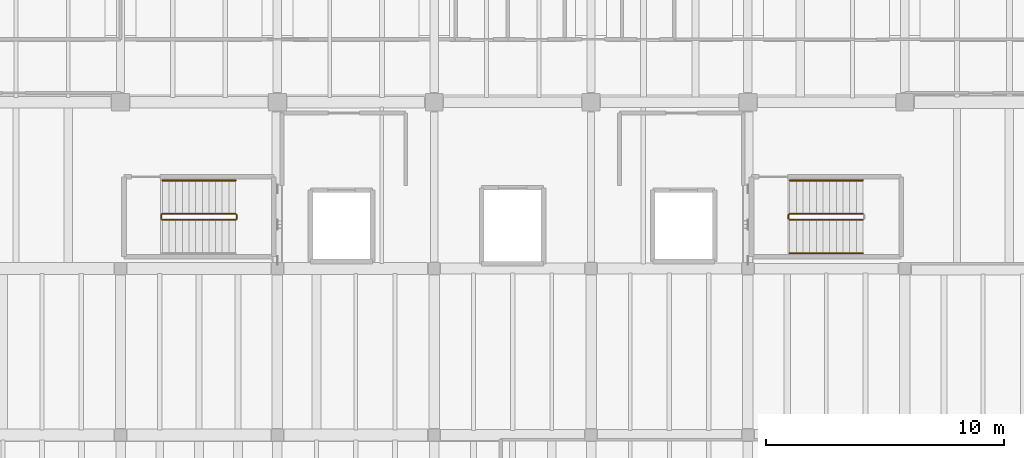
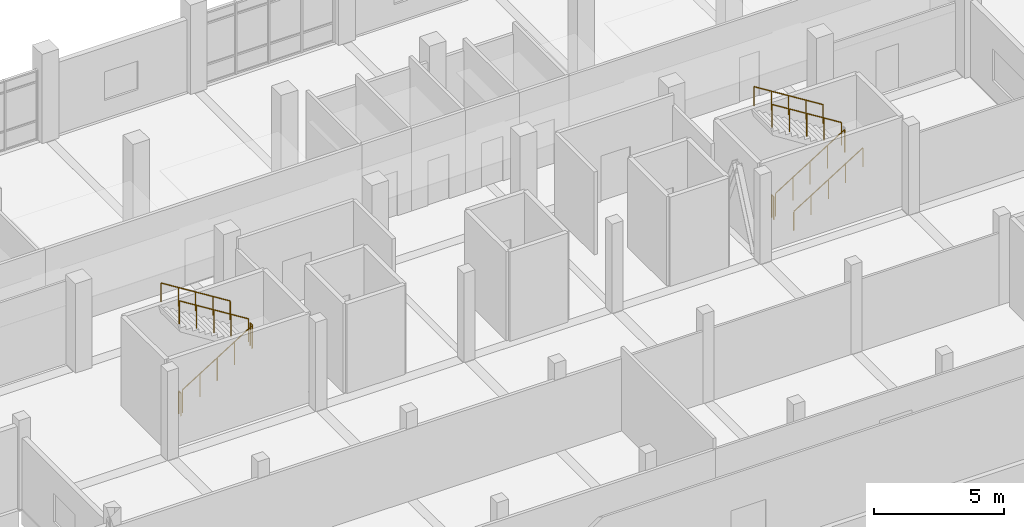
# One storey, part 63 of 65: 10 railings.
"""IFC4 building model written with IfcOpenShell, lengths in metres."""

import ifcopenshell
import ifcopenshell.guid

model = None  # the IFC model being written
_history = None  # IfcOwnerHistory: only IFC2X3 demands one
_inside = {}  # id of a spatial element -> (the spatial element, [elements in it])
_under = {}  # id of a project, library or spatial element -> (it, [spatial elements below it])
_declared = {}  # id of a project -> (the project, [libraries it declares])
_typed = {}  # id of a type object -> (the type object, [elements of that type])
_made_of = {}  # id of a material, layer set ... -> (it, [elements and type objects made of it])


def new_model(schema):
    """Start an empty IFC model of exactly this schema.

    Asked for "IFC4X3", IfcOpenShell would pick the latest addendum, in which some entities
    have other attributes; the version numbers below select the first issue.
    IFC2X3 requires an IfcOwnerHistory on every rooted entity: one is made here for all.
    """
    global model, _history
    if schema == "IFC4X3":
        model = ifcopenshell.file(schema_version=(4, 3, 0, 0))
    else:
        model = ifcopenshell.file(schema=schema)
    _inside.clear()
    _under.clear()
    _declared.clear()
    _typed.clear()
    _made_of.clear()
    _history = None
    if model.schema == "IFC2X3":
        org = make("IfcOrganization", Name="unknown")
        user = make(
            "IfcPersonAndOrganization",
            ThePerson=make("IfcPerson", FamilyName="unknown"),
            TheOrganization=org,
        )
        app = make(
            "IfcApplication",
            ApplicationDeveloper=org,
            Version="unknown",
            ApplicationFullName="unknown",
            ApplicationIdentifier="unknown",
        )
        _history = make(
            "IfcOwnerHistory",
            OwningUser=user,
            OwningApplication=app,
            ChangeAction="ADDED",
            CreationDate=0,
        )
    return model


def make(cls, **values):
    """One entity of the class cls with the attributes given. An attribute that is None is left unset."""
    return model.create_entity(
        cls, **{name: value for name, value in values.items() if value is not None}
    )


def rooted(cls, **values):
    """An entity with a GlobalId (a new one), such as an element, a storey or a relation."""
    return make(cls, GlobalId=ifcopenshell.guid.new(), OwnerHistory=_history, **values)


def si_unit(unit_type, name, prefix=None):
    """IfcSIUnit, for example si_unit("LENGTHUNIT", "METRE", prefix="MILLI")."""
    return make("IfcSIUnit", UnitType=unit_type, Prefix=prefix, Name=name)


def assignment(units):
    """IfcUnitAssignment: the units of a project."""
    return None if units is None else make("IfcUnitAssignment", Units=units)


def point(xyz):
    """IfcCartesianPoint."""
    return None if xyz is None else make("IfcCartesianPoint", Coordinates=xyz)


def direction(xyz):
    """IfcDirection."""
    return None if xyz is None else make("IfcDirection", DirectionRatios=xyz)


def frame(location, z_axis=None, x_axis=None):
    """IfcAxis2Placement3D, a coordinate frame: its origin and axes. An axis left out is left unset."""
    return make(
        "IfcAxis2Placement3D",
        Location=point(location),
        Axis=direction(z_axis),
        RefDirection=direction(x_axis),
    )


def frame_2d(location, x_axis=None):
    """IfcAxis2Placement2D, a coordinate frame in the plane: its origin and x axis."""
    return make(
        "IfcAxis2Placement2D", Location=point(location), RefDirection=direction(x_axis)
    )


def origin():
    """The frame at (0, 0, 0) with its axes left unset."""
    return frame((0.0, 0.0, 0.0))


def origin_2d():
    """The frame at (0, 0) in the plane with its x axis left unset."""
    return frame_2d((0.0, 0.0))


def place(relative_to, where):
    """IfcLocalPlacement: puts the frame where relative to a parent placement (None: the world)."""
    return make(
        "IfcLocalPlacement", PlacementRelTo=relative_to, RelativePlacement=where
    )


def context(
    kind, dimensions, precision=None, world=None, true_north=None, identifier=None
):
    """IfcGeometricRepresentationContext, for example the 3D "Model" context."""
    return make(
        "IfcGeometricRepresentationContext",
        ContextIdentifier=identifier,
        ContextType=kind,
        CoordinateSpaceDimension=dimensions,
        Precision=precision,
        WorldCoordinateSystem=world,
        TrueNorth=true_north,
    )


def subcontext(parent, identifier, kind, view, scale=None):
    """IfcGeometricRepresentationSubContext, for example "Body" below "Model"."""
    return make(
        "IfcGeometricRepresentationSubContext",
        ContextIdentifier=identifier,
        ContextType=kind,
        ParentContext=parent,
        TargetScale=scale,
        TargetView=view,
    )


def project(units=None, contexts=None):
    """IfcProject with its units and contexts."""
    return rooted(
        "IfcProject",
        Name="project",
        RepresentationContexts=contexts,
        UnitsInContext=assignment(units),
    )


def spatial(cls, under=None, at=None, **own):
    """A site, building, storey or space (cls), placed at a placement, below another one or the project."""
    s = rooted(cls, ObjectPlacement=at, **own)
    if under is not None:
        _under.setdefault(under.id(), (under, []))[1].append(s)
    return s


def profile(cls, at=None, kind="AREA", **sizes):
    """A parametric profile (cls). Its sizes go by their IFC names, for example OverallWidth=200.0."""
    return make(cls, ProfileType=kind, Position=at, **sizes)


def circle(**sizes):
    """IfcCircleProfileDef."""
    return profile("IfcCircleProfileDef", **sizes)


def extrude(swept, where, along, depth):
    """IfcExtrudedAreaSolid: the profile swept, set in the frame where, extruded along a direction by depth."""
    return make(
        "IfcExtrudedAreaSolid",
        SweptArea=swept,
        Position=where,
        ExtrudedDirection=direction(along),
        Depth=depth,
    )


def shape(context_of_items, identifier, shape_type, items):
    """IfcShapeRepresentation: the items that make up one representation, for example the "Body"."""
    return make(
        "IfcShapeRepresentation",
        ContextOfItems=context_of_items,
        RepresentationIdentifier=identifier,
        RepresentationType=shape_type,
        Items=items,
    )


def material(Name=None, Category=None):
    """IfcMaterial."""
    return make("IfcMaterial", Name=Name, Category=Category)


def made_of(thing, what):
    """Note that an element or type object is made of a material, layer set ...; save() writes the relation."""
    if what is not None:
        _made_of.setdefault(what.id(), (what, []))[1].append(thing)
    return thing


def type_object(cls, material=None, **own):
    """A type object (cls), such as IfcWallType, which elements share."""
    return made_of(rooted(cls, **own), material)


def element(
    cls,
    number,
    at=None,
    inside=None,
    cuts=None,
    type_object=None,
    material=None,
    context=None,
    identifier="Body",
    shape_type=None,
    held_by="IfcProductDefinitionShape",
    body=None,
    shapes=None,
    **own,
):
    """One element of the class cls, such as IfcWall. Its Tag is "e" and its number.

    at: its placement. inside: the storey or other place that contains it. cuts: it is an
    opening in that element (IfcRelVoidsElement). A single representation is given by context,
    identifier, shape_type and body (its items); several are given by shapes. held_by: the class
    of the entity that holds the representations. save() writes the other relations.
    """
    e = rooted(cls, Tag="e%d" % number, ObjectPlacement=at, **own)
    if body is not None:
        shapes = [shape(context, identifier, shape_type, body)]
    if shapes is not None:
        e.Representation = make(held_by, Representations=shapes)
    if inside is not None:
        _inside.setdefault(inside.id(), (inside, []))[1].append(e)
    if cuts is not None:
        rooted(
            "IfcRelVoidsElement", RelatingBuildingElement=cuts, RelatedOpeningElement=e
        )
    if type_object is not None:
        _typed.setdefault(type_object.id(), (type_object, []))[1].append(e)
    return made_of(e, material)


def aggregate(whole, parts):
    """IfcRelAggregates: a whole, such as a stair, and the parts it consists of."""
    return rooted("IfcRelAggregates", RelatingObject=whole, RelatedObjects=parts)


def save(model, path):
    """Write the relations noted so far, then the file.

    IfcRelAggregates (storeys below a building ...), IfcRelContainedInSpatialStructure (elements
    in a storey), IfcRelDefinesByType, IfcRelAssociatesMaterial and IfcRelDeclares: one each for
    every whole, place, type object, material and project.
    """
    for whole, parts in _under.values():
        aggregate(whole, parts)
    for where, things in _inside.values():
        rooted(
            "IfcRelContainedInSpatialStructure",
            RelatedElements=things,
            RelatingStructure=where,
        )
    for kind, things in _typed.values():
        rooted("IfcRelDefinesByType", RelatedObjects=things, RelatingType=kind)
    for what, things in _made_of.values():
        rooted("IfcRelAssociatesMaterial", RelatedObjects=things, RelatingMaterial=what)
    for by, libraries in _declared.values():
        rooted("IfcRelDeclares", RelatingContext=by, RelatedDefinitions=libraries)
    model.write(path)


model = new_model("IFC4")

# Units and contexts
model_context = context("Model", 3, precision=1e-05, world=origin(), true_north=direction((0.0, 1.0)))
body_context = subcontext(model_context, "Body", "Model", "MODEL_VIEW")
ifc_project = project(units=[si_unit("LENGTHUNIT", "METRE"), si_unit("AREAUNIT", "SQUARE_METRE"), si_unit("VOLUMEUNIT", "CUBIC_METRE"), si_unit("PLANEANGLEUNIT", "RADIAN"), si_unit("MASSUNIT", "GRAM", prefix="KILO")], contexts=[model_context])

# Site, building, storey
site_placement = place(None, origin())
site = spatial("IfcSite", under=ifc_project, at=site_placement, CompositionType="ELEMENT")
building_placement = place(site_placement, origin())
building = spatial("IfcBuilding", under=site, at=building_placement, Name="Ciguamira Faculty of Natural Sciences", CompositionType="ELEMENT")
storey_placement = place(building_placement, frame((0.0, 0.0, 12.60009765625)))
storey = spatial("IfcBuildingStorey", under=building, at=storey_placement, Name="L03", CompositionType="ELEMENT", Elevation=12.60009765625)

# Railings
ifc_material_1 = material(Name="Stainless steel balustrade", Category="steel")
railing_type_1 = type_object("IfcRailingType", Name="Guardrail_GR01", PredefinedType="GUARDRAIL", material=ifc_material_1)
railing_1_placement = place(storey_placement, frame((72.260009765625, 96.050048828125, 0.1748046875)))
element("IfcRailing", 1, at=railing_1_placement, inside=storey, type_object=railing_type_1, Name="L03 ST-T1 stair guard 1", PredefinedType="GUARDRAIL", context=body_context, shape_type="SweptSolid", body=[
    extrude(circle(Radius=0.02392578125, at=origin_2d()), frame((0.0, 0.0, 1.076171875), z_axis=(0.847998304005, 0.0, 0.529998940003), x_axis=(0.0, 1.0, 0.0)), (0.0, 0.0, 1.0), 3.632080078125),
    extrude(circle(Radius=0.02099609375, at=origin_2d()), origin(), (0.0, 0.0, 1.0), 1.052001953125),
    extrude(circle(Radius=0.02099609375, at=origin_2d()), frame((0.77001953125, 0.0, 0.481201171875)), (0.0, 0.0, 1.0), 1.052001953125),
    extrude(circle(Radius=0.02099609375, at=origin_2d()), frame((1.5400390625, 0.0, 0.96240234375)), (0.0, 0.0, 1.0), 1.052001953125),
    extrude(circle(Radius=0.02099609375, at=origin_2d()), frame((2.31005859375, 0.0, 1.44384765625)), (0.0, 0.0, 1.0), 1.052001953125),
    extrude(circle(Radius=0.02099609375, at=origin_2d()), frame((3.080078125, 0.0, 1.925048828125)), (0.0, 0.0, 1.0), 1.052001953125),
])
railing_2_placement = place(storey_placement, frame((75.389892578125, 96.10009765625, 2.099853515625)))
element("IfcRailing", 2, at=railing_2_placement, inside=storey, type_object=railing_type_1, Name="L03 ST-T1 stair guard 2", PredefinedType="GUARDRAIL", context=body_context, shape_type="SweptSolid", body=[
    extrude(circle(Radius=0.02392578125, at=origin_2d()), frame((0.0, 0.0, 1.076171875), z_axis=(0.0, 1.0, 0.0), x_axis=(-1.0, 0.0, 0.0)), (0.0, 0.0, 1.0), 0.159912109375),
    extrude(circle(Radius=0.02099609375, at=origin_2d()), origin(), (0.0, 0.0, 1.0), 1.052001953125),
    extrude(circle(Radius=0.02099609375, at=origin_2d()), frame((0.0, 0.159912109375, 0.0)), (0.0, 0.0, 1.0), 1.052001953125),
])
railing_3_placement = place(storey_placement, frame((75.340087890625, 96.31005859375, 2.27490234375)))
element("IfcRailing", 3, at=railing_3_placement, inside=storey, type_object=railing_type_1, Name="L03 ST-T1 stair guard 3", PredefinedType="GUARDRAIL", context=body_context, shape_type="SweptSolid", body=[
    extrude(circle(Radius=0.02392578125, at=origin_2d()), frame((0.0, 0.0, 1.076171875), z_axis=(-0.847998304005, 0.0, 0.529998940003), x_axis=(0.0, -1.0, 0.0)), (0.0, 0.0, 1.0), 3.632080078125),
    extrude(circle(Radius=0.02099609375, at=origin_2d()), origin(), (0.0, 0.0, 1.0), 1.052001953125),
    extrude(circle(Radius=0.02099609375, at=origin_2d()), frame((-0.77001953125, 0.0, 0.481201171875)), (0.0, 0.0, 1.0), 1.052001953125),
    extrude(circle(Radius=0.02099609375, at=origin_2d()), frame((-1.5400390625, 0.0, 0.96240234375)), (0.0, 0.0, 1.0), 1.052001953125),
    extrude(circle(Radius=0.02099609375, at=origin_2d()), frame((-2.31005859375, 0.0, 1.44384765625)), (0.0, 0.0, 1.0), 1.052001953125),
    extrude(circle(Radius=0.02099609375, at=origin_2d()), frame((-3.080078125, 0.0, 1.925048828125)), (0.0, 0.0, 1.0), 1.052001953125),
])
railing_4_placement = place(storey_placement, frame((72.2099609375, 96.10009765625, 0.0)))
element("IfcRailing", 4, at=railing_4_placement, inside=storey, type_object=railing_type_1, Name="L03 ST-T1 stair guard 4", PredefinedType="GUARDRAIL", context=body_context, shape_type="SweptSolid", body=[
    extrude(circle(Radius=0.02392578125, at=origin_2d()), frame((0.0, 0.0, 1.076171875), z_axis=(0.0, 1.0, 0.0), x_axis=(-1.0, 0.0, 0.0)), (0.0, 0.0, 1.0), 0.159912109375),
    extrude(circle(Radius=0.02099609375, at=origin_2d()), origin(), (0.0, 0.0, 1.0), 1.052001953125),
    extrude(circle(Radius=0.02099609375, at=origin_2d()), frame((0.0, 0.159912109375, 0.0)), (0.0, 0.0, 1.0), 1.052001953125),
])
railing_5_placement = place(storey_placement, frame((98.659912109375, 96.050048828125, 0.1748046875)))
element("IfcRailing", 5, at=railing_5_placement, inside=storey, type_object=railing_type_1, Name="L03 ST-T2 stair guard 1", PredefinedType="GUARDRAIL", context=body_context, shape_type="SweptSolid", body=[
    extrude(circle(Radius=0.02392578125, at=origin_2d()), frame((0.0, 0.0, 1.076171875), z_axis=(0.847998304005, 0.0, 0.529998940003), x_axis=(0.0, 1.0, 0.0)), (0.0, 0.0, 1.0), 3.632080078125),
    extrude(circle(Radius=0.02099609375, at=origin_2d()), origin(), (0.0, 0.0, 1.0), 1.052001953125),
    extrude(circle(Radius=0.02099609375, at=origin_2d()), frame((0.77001953125, 0.0, 0.481201171875)), (0.0, 0.0, 1.0), 1.052001953125),
    extrude(circle(Radius=0.02099609375, at=origin_2d()), frame((1.5400390625, 0.0, 0.96240234375)), (0.0, 0.0, 1.0), 1.052001953125),
    extrude(circle(Radius=0.02099609375, at=origin_2d()), frame((2.31005859375, 0.0, 1.44384765625)), (0.0, 0.0, 1.0), 1.052001953125),
    extrude(circle(Radius=0.02099609375, at=origin_2d()), frame((3.080078125, 0.0, 1.925048828125)), (0.0, 0.0, 1.0), 1.052001953125),
])
railing_6_placement = place(storey_placement, frame((101.739990234375, 96.31005859375, 2.27490234375)))
element("IfcRailing", 6, at=railing_6_placement, inside=storey, type_object=railing_type_1, Name="L03 ST-T2 stair guard 3", PredefinedType="GUARDRAIL", context=body_context, shape_type="SweptSolid", body=[
    extrude(circle(Radius=0.02392578125, at=origin_2d()), frame((0.0, 0.0, 1.076171875), z_axis=(-0.847998304005, 0.0, 0.529998940003), x_axis=(0.0, -1.0, 0.0)), (0.0, 0.0, 1.0), 3.632080078125),
    extrude(circle(Radius=0.02099609375, at=origin_2d()), origin(), (0.0, 0.0, 1.0), 1.052001953125),
    extrude(circle(Radius=0.02099609375, at=origin_2d()), frame((-0.77001953125, 0.0, 0.481201171875)), (0.0, 0.0, 1.0), 1.052001953125),
    extrude(circle(Radius=0.02099609375, at=origin_2d()), frame((-1.5400390625, 0.0, 0.96240234375)), (0.0, 0.0, 1.0), 1.052001953125),
    extrude(circle(Radius=0.02099609375, at=origin_2d()), frame((-2.31005859375, 0.0, 1.44384765625)), (0.0, 0.0, 1.0), 1.052001953125),
    extrude(circle(Radius=0.02099609375, at=origin_2d()), frame((-3.080078125, 0.0, 1.925048828125)), (0.0, 0.0, 1.0), 1.052001953125),
])
railing_7_placement = place(storey_placement, frame((98.610107421875, 96.10009765625, 0.0)))
element("IfcRailing", 7, at=railing_7_placement, inside=storey, type_object=railing_type_1, Name="L03 ST-T2 stair guard 4", PredefinedType="GUARDRAIL", context=body_context, shape_type="SweptSolid", body=[
    extrude(circle(Radius=0.02392578125, at=origin_2d()), frame((0.0, 0.0, 1.076171875), z_axis=(0.0, 1.0, 0.0), x_axis=(-1.0, 0.0, 0.0)), (0.0, 0.0, 1.0), 0.159912109375),
    extrude(circle(Radius=0.02099609375, at=origin_2d()), origin(), (0.0, 0.0, 1.0), 1.052001953125),
    extrude(circle(Radius=0.02099609375, at=origin_2d()), frame((0.0, 0.159912109375, 0.0)), (0.0, 0.0, 1.0), 1.052001953125),
])
ifc_material_2 = material(Name="Stainless steel handrail", Category="steel")
railing_type_2 = type_object("IfcRailingType", Name="Handrail_HR01", PredefinedType="HANDRAIL", material=ifc_material_2)
railing_8_placement = place(storey_placement, frame((75.340087890625, 97.7099609375, 2.449951171875)))
element("IfcRailing", 8, at=railing_8_placement, inside=storey, type_object=railing_type_2, Name="L03 ST-T1 stair handrail 2", PredefinedType="HANDRAIL", context=body_context, shape_type="SweptSolid", body=[
    extrude(circle(Radius=0.02392578125, at=origin_2d()), frame((0.0, 0.0, 0.89111328125), z_axis=(-0.847998304005, 0.0, 0.529998940003), x_axis=(0.0, -1.0, 0.0)), (0.0, 0.0, 1.0), 3.632080078125),
    extrude(circle(Radius=0.02099609375, at=origin_2d()), origin(), (0.0, 0.0, 1.0), 0.866943359375),
    extrude(circle(Radius=0.02099609375, at=origin_2d()), frame((-0.77001953125, 0.0, 0.481201171875)), (0.0, 0.0, 1.0), 0.866943359375),
    extrude(circle(Radius=0.02099609375, at=origin_2d()), frame((-1.5400390625, 0.0, 0.96240234375)), (0.0, 0.0, 1.0), 0.866943359375),
    extrude(circle(Radius=0.02099609375, at=origin_2d()), frame((-2.31005859375, 0.0, 1.44384765625)), (0.0, 0.0, 1.0), 0.866943359375),
    extrude(circle(Radius=0.02099609375, at=origin_2d()), frame((-3.080078125, 0.0, 1.925048828125)), (0.0, 0.0, 1.0), 0.866943359375),
])
railing_9_placement = place(storey_placement, frame((98.659912109375, 94.64990234375, 0.349853515625)))
element("IfcRailing", 9, at=railing_9_placement, inside=storey, type_object=railing_type_2, Name="L03 ST-T2 stair handrail 1", PredefinedType="HANDRAIL", context=body_context, shape_type="SweptSolid", body=[
    extrude(circle(Radius=0.02392578125, at=origin_2d()), frame((0.0, 0.0, 0.89111328125), z_axis=(0.847998304005, 0.0, 0.529998940003), x_axis=(0.0, 1.0, 0.0)), (0.0, 0.0, 1.0), 3.632080078125),
    extrude(circle(Radius=0.02099609375, at=origin_2d()), origin(), (0.0, 0.0, 1.0), 0.866943359375),
    extrude(circle(Radius=0.02099609375, at=origin_2d()), frame((0.77001953125, 0.0, 0.481201171875)), (0.0, 0.0, 1.0), 0.866943359375),
    extrude(circle(Radius=0.02099609375, at=origin_2d()), frame((1.5400390625, 0.0, 0.96240234375)), (0.0, 0.0, 1.0), 0.866943359375),
    extrude(circle(Radius=0.02099609375, at=origin_2d()), frame((2.31005859375, 0.0, 1.44384765625)), (0.0, 0.0, 1.0), 0.866943359375),
    extrude(circle(Radius=0.02099609375, at=origin_2d()), frame((3.080078125, 0.0, 1.925048828125)), (0.0, 0.0, 1.0), 0.866943359375),
])
railing_10_placement = place(storey_placement, frame((101.739990234375, 97.7099609375, 2.449951171875)))
element("IfcRailing", 10, at=railing_10_placement, inside=storey, type_object=railing_type_2, Name="L03 ST-T2 stair handrail 2", PredefinedType="HANDRAIL", context=body_context, shape_type="SweptSolid", body=[
    extrude(circle(Radius=0.02392578125, at=origin_2d()), frame((0.0, 0.0, 0.89111328125), z_axis=(-0.847998304005, 0.0, 0.529998940003), x_axis=(0.0, -1.0, 0.0)), (0.0, 0.0, 1.0), 3.632080078125),
    extrude(circle(Radius=0.02099609375, at=origin_2d()), origin(), (0.0, 0.0, 1.0), 0.866943359375),
    extrude(circle(Radius=0.02099609375, at=origin_2d()), frame((-0.77001953125, 0.0, 0.481201171875)), (0.0, 0.0, 1.0), 0.866943359375),
    extrude(circle(Radius=0.02099609375, at=origin_2d()), frame((-1.5400390625, 0.0, 0.96240234375)), (0.0, 0.0, 1.0), 0.866943359375),
    extrude(circle(Radius=0.02099609375, at=origin_2d()), frame((-2.31005859375, 0.0, 1.44384765625)), (0.0, 0.0, 1.0), 0.866943359375),
    extrude(circle(Radius=0.02099609375, at=origin_2d()), frame((-3.080078125, 0.0, 1.925048828125)), (0.0, 0.0, 1.0), 0.866943359375),
])

save(model, "model.ifc")
